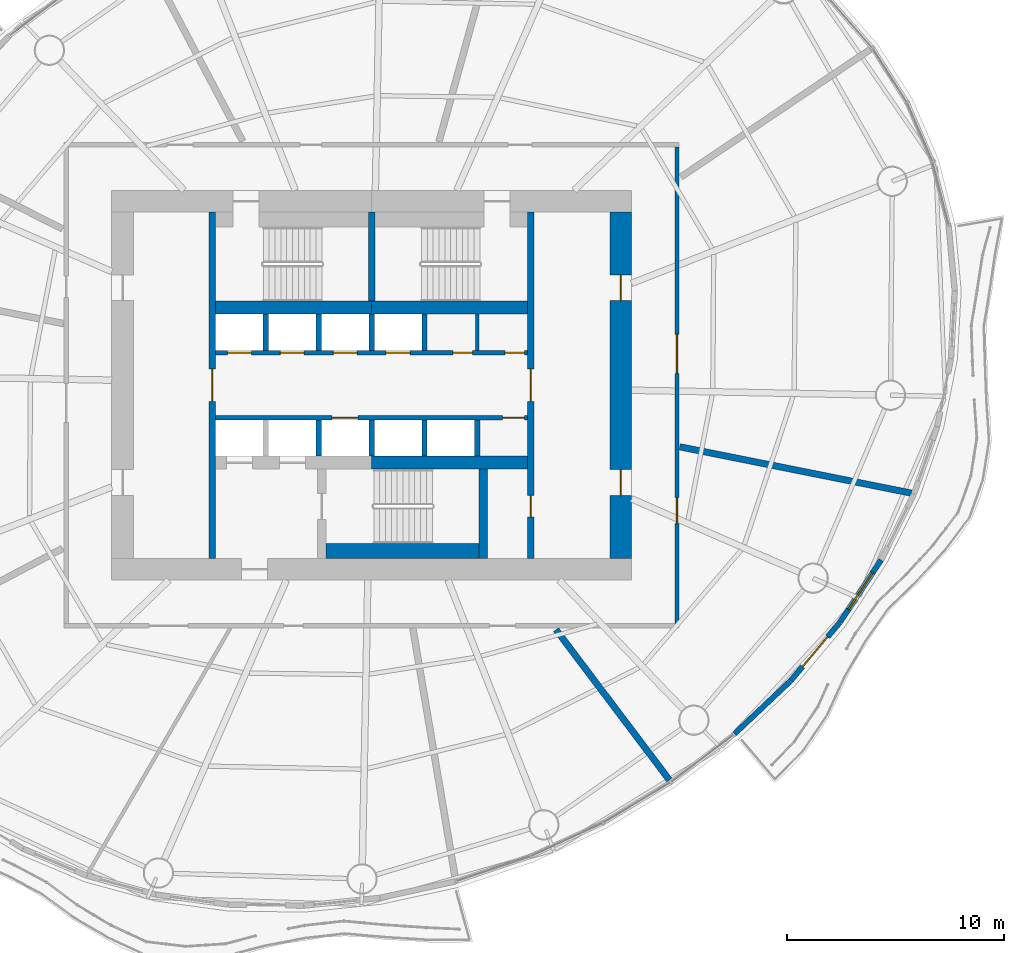
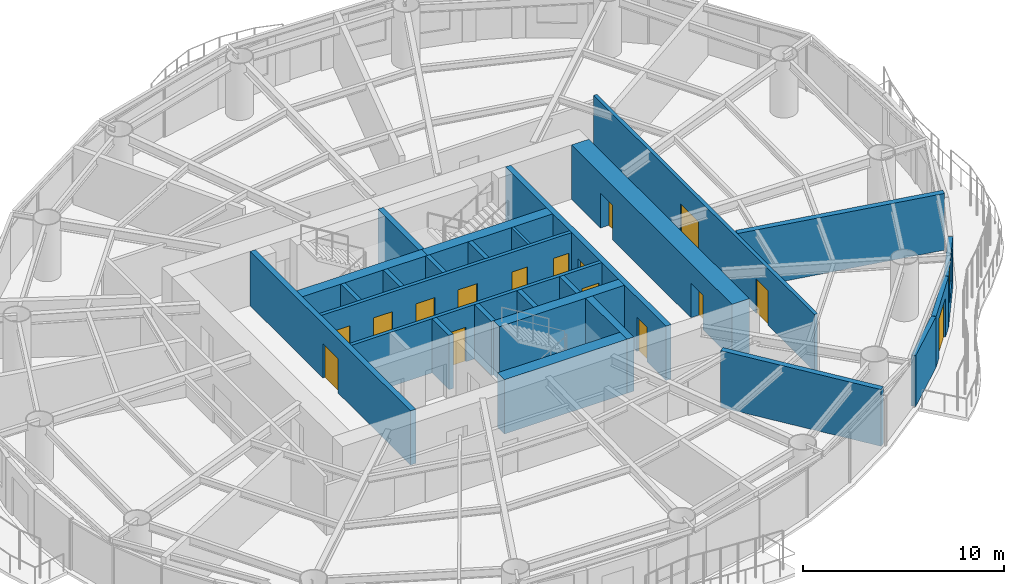
# One storey, part 9 of 16: 26 walls, 16 doors, 1 window, 17 openings.
"""IFC4 building model written with IfcOpenShell, lengths in metres."""

from ifc_helpers import new_model, si_unit, direction, frame, frame_2d, origin, place, context, subcontext, project, spatial, rectangle, extrude, material, layer, layer_set, type_object, element, fill, save


model = new_model("IFC4")

# Units and contexts
model_context = context("Model", 3, precision=1e-05, world=origin(), true_north=direction((0.0, 1.0)))
body_context = subcontext(model_context, "Body", "Model", "MODEL_VIEW")
ifc_project = project(units=[si_unit("LENGTHUNIT", "METRE"), si_unit("AREAUNIT", "SQUARE_METRE"), si_unit("VOLUMEUNIT", "CUBIC_METRE"), si_unit("PLANEANGLEUNIT", "RADIAN"), si_unit("MASSUNIT", "GRAM", prefix="KILO")], contexts=[model_context])

# Site, building, storey
site_placement = place(None, origin())
site = spatial("IfcSite", under=ifc_project, at=site_placement, CompositionType="ELEMENT")
building_placement = place(site_placement, origin())
building = spatial("IfcBuilding", under=site, at=building_placement, Name="Vermilion Reach Broadcast Tower", CompositionType="ELEMENT")
storey_placement = place(building_placement, frame((0.0, 0.0, 147.0)))
storey = spatial("IfcBuildingStorey", under=building, at=storey_placement, Name="L34", CompositionType="ELEMENT", Elevation=147.0)

# Wall, opening, door
ifc_material_1 = material(Name="Concrete C70", Category="concrete")
ifc_layer_1 = layer(ifc_material_1, 0.300048828125)
ifc_layer_set_1 = layer_set([ifc_layer_1], Name="Core inner wall 300 mm Concrete C70")
wall_type_1 = type_object("IfcWallType", Name="Core inner wall 300 mm Concrete C70", PredefinedType="SHEAR", material=ifc_layer_set_1)
wall_1_placement = place(storey_placement, frame((-13.35009765625, 8.0, 0.0), z_axis=(0.0, 0.0, 1.0), x_axis=(0.0, -1.0, 0.0)))
wall_1 = element("IfcWall", 1, at=wall_1_placement, inside=storey, type_object=wall_type_1, Name="L34 core wall ewW", PredefinedType="SHEAR", context=body_context, shape_type="SweptSolid", body=[
    extrude(rectangle(XDim=16.0, YDim=0.300048828125, at=frame_2d((8.0, 0.0))), origin(), (0.0, 0.0, 1.0), 3.300048828125),
])
opening_1_placement = place(wall_1_placement, frame((7.25, 0.0, 0.0)))
opening_1 = element("IfcOpeningElement", 2, at=opening_1_placement, cuts=wall_1, Name="Opening D04", PredefinedType="OPENING", context=body_context, shape_type="SweptSolid", body=[
    extrude(rectangle(XDim=1.5, YDim=2.10009765625, at=frame_2d((0.75, 1.050048828125))), frame((0.0, 0.159912109375, 0.0), z_axis=(0.0, -1.0, 0.0), x_axis=(1.0, 0.0, 0.0)), (0.0, 0.0, 1.0), 0.320068359375),
])
ifc_material_2 = material(Name="Painted steel fire door", Category="steel")
door_type_1 = type_object("IfcDoorType", Name="Lift lobby door 1500 x 2100", OperationType="DOUBLE_DOOR_SINGLE_SWING", PredefinedType="NOTDEFINED", material=ifc_material_2)
door_1_placement = place(opening_1_placement, origin())
door_1 = element("IfcDoor", 3, at=door_1_placement, inside=storey, type_object=door_type_1, Name="L34 band door BW", OperationType="DOUBLE_DOOR_SINGLE_SWING", OverallHeight=2.10009765625, OverallWidth=1.5, PredefinedType="NOTDEFINED", context=body_context, shape_type="SweptSolid", body=[
    extrude(rectangle(XDim=1.5, YDim=2.10009765625, at=frame_2d((0.75, 1.050048828125))), frame((0.0, 0.02490234375, 0.0), z_axis=(0.0, -1.0, 0.0), x_axis=(1.0, 0.0, 0.0)), (0.0, 0.0, 1.0), 0.050048828125),
])
fill(opening_1, door_1)

# Wall, openings, doors
wall_2_placement = place(storey_placement, frame((1.35009765625, -8.0, 0.0), z_axis=(0.0, 0.0, 1.0), x_axis=(0.0, 1.0, 0.0)))
wall_2 = element("IfcWall", 4, at=wall_2_placement, inside=storey, type_object=wall_type_1, Name="L34 core wall ewE", PredefinedType="SHEAR", context=body_context, shape_type="SweptSolid", body=[
    extrude(rectangle(XDim=16.0, YDim=0.300048828125, at=frame_2d((8.0, 0.0))), origin(), (0.0, 0.0, 1.0), 3.300048828125),
])
opening_2_placement = place(wall_2_placement, frame((1.909912109375, 0.0, 0.0)))
opening_2 = element("IfcOpeningElement", 5, at=opening_2_placement, cuts=wall_2, Name="Opening D05", PredefinedType="OPENING", context=body_context, shape_type="SweptSolid", body=[
    extrude(rectangle(XDim=1.0, YDim=2.10009765625, at=frame_2d((0.5, 1.050048828125))), frame((0.0, 0.159912109375, 0.0), z_axis=(0.0, -1.0, 0.0), x_axis=(1.0, 0.0, 0.0)), (0.0, 0.0, 1.0), 0.320068359375),
])
opening_3_placement = place(wall_2_placement, frame((7.25, 0.0, 0.0)))
opening_3 = element("IfcOpeningElement", 6, at=opening_3_placement, cuts=wall_2, Name="Opening D04", PredefinedType="OPENING", context=body_context, shape_type="SweptSolid", body=[
    extrude(rectangle(XDim=1.5, YDim=2.10009765625, at=frame_2d((0.75, 1.050048828125))), frame((0.0, 0.159912109375, 0.0), z_axis=(0.0, -1.0, 0.0), x_axis=(1.0, 0.0, 0.0)), (0.0, 0.0, 1.0), 0.320068359375),
])
door_2_placement = place(opening_3_placement, origin())
door_2 = element("IfcDoor", 7, at=door_2_placement, inside=storey, type_object=door_type_1, Name="L34 band door BE", OperationType="DOUBLE_DOOR_SINGLE_SWING", OverallHeight=2.10009765625, OverallWidth=1.5, PredefinedType="NOTDEFINED", context=body_context, shape_type="SweptSolid", body=[
    extrude(rectangle(XDim=1.5, YDim=2.10009765625, at=frame_2d((0.75, 1.050048828125))), frame((0.0, 0.02490234375, 0.0), z_axis=(0.0, -1.0, 0.0), x_axis=(1.0, 0.0, 0.0)), (0.0, 0.0, 1.0), 0.050048828125),
])
fill(opening_3, door_2)
ifc_material_3 = material(Name="Timber door", Category="wood")
door_type_2 = type_object("IfcDoorType", Name="Room door 1000 x 2100", OperationType="NOTDEFINED", PredefinedType="NOTDEFINED", material=ifc_material_3)
door_3_placement = place(opening_2_placement, origin())
door_3 = element("IfcDoor", 8, at=door_3_placement, inside=storey, type_object=door_type_2, Name="L34 door SER", OperationType="SINGLE_SWING_LEFT", OverallHeight=2.10009765625, OverallWidth=1.0, PredefinedType="NOTDEFINED", context=body_context, shape_type="SweptSolid", body=[
    extrude(rectangle(XDim=1.0, YDim=2.10009765625, at=frame_2d((0.5, 1.050048828125))), frame((0.0, 0.02490234375, 0.0), z_axis=(0.0, -1.0, 0.0), x_axis=(1.0, 0.0, 0.0)), (0.0, 0.0, 1.0), 0.050048828125),
])
fill(opening_2, door_3)

# Walls
wall_3_placement = place(storey_placement, frame((-6.0, 3.8798828125, 0.0), z_axis=(0.0, 0.0, 1.0), x_axis=(0.0, 1.0, 0.0)))
element("IfcWall", 9, at=wall_3_placement, inside=storey, type_object=wall_type_1, Name="L34 core wall wc", PredefinedType="SHEAR", context=body_context, shape_type="SweptSolid", body=[
    extrude(rectangle(XDim=4.1201171875, YDim=0.300048828125, at=frame_2d((2.06005859375, 0.0))), origin(), (0.0, 0.0, 1.0), 3.300048828125),
])
ifc_material_4 = material(Name="Concrete C70", Category="concrete")
ifc_layer_2 = layer(ifc_material_4, 0.39990234375)
ifc_layer_set_2 = layer_set([ifc_layer_2], Name="Core inner wall 400 mm Concrete C70")
wall_type_2 = type_object("IfcWallType", Name="Core inner wall 400 mm Concrete C70", PredefinedType="SHEAR", material=ifc_layer_set_2)
wall_4_placement = place(storey_placement, frame((-0.85009765625, -3.8798828125, 0.0), z_axis=(0.0, 0.0, 1.0), x_axis=(0.0, -1.0, 0.0)))
element("IfcWall", 10, at=wall_4_placement, inside=storey, type_object=wall_type_2, Name="L34 core wall wb", PredefinedType="SHEAR", context=body_context, shape_type="SweptSolid", body=[
    extrude(rectangle(XDim=4.1201171875, YDim=0.39990234375, at=frame_2d((2.06005859375, 0.0))), origin(), (0.0, 0.0, 1.0), 3.300048828125),
])
ifc_material_5 = material(Name="Concrete C70", Category="concrete")
ifc_layer_3 = layer(ifc_material_5, 0.60009765625)
ifc_layer_set_3 = layer_set([ifc_layer_3], Name="Core inner wall 600 mm Concrete C70")
wall_type_3 = type_object("IfcWallType", Name="Core inner wall 600 mm Concrete C70", PredefinedType="SHEAR", material=ifc_layer_set_3)
for number, where, z_axis, x_axis, name in (
    (11, (-13.199951171875, 3.580078125, 0.0), (0.0, 0.0, 1.0), (1.0, 0.0, 0.0), "L34 core wall winW"),
    (12, (-6.0, 3.580078125, 0.0), (0.0, 0.0, 1.0), (1.0, 0.0, 0.0), "L34 core wall winE"),
    (13, (-6.0, -3.580078125, 0.0), (0.0, 0.0, 1.0), (1.0, 0.0, 0.0), "L34 core wall wisE"),
):
    element("IfcWall", number, at=place(storey_placement, frame(where, z_axis=z_axis, x_axis=x_axis)), inside=storey, type_object=wall_type_3, Name=name, PredefinedType="SHEAR", context=body_context, shape_type="SweptSolid", body=[
        extrude(rectangle(XDim=7.199951171875, YDim=0.60009765625, at=frame_2d((3.60009765625, 0.0))), origin(), (0.0, 0.0, 1.0), 3.300048828125),
    ])

# Wall, openings, doors
ifc_material_6 = material(Name="Concrete C70", Category="concrete")
ifc_layer_4 = layer(ifc_material_6, 1.0)
ifc_layer_set_4 = layer_set([ifc_layer_4], Name="Core outer wall 1000 mm Concrete C70")
wall_type_4 = type_object("IfcWallType", Name="Core outer wall 1000 mm Concrete C70", PredefinedType="SHEAR", material=ifc_layer_set_4)
wall_5_placement = place(storey_placement, frame((5.5, -8.0, 0.0), z_axis=(0.0, 0.0, 1.0), x_axis=(0.0, 1.0, 0.0)))
wall_5 = element("IfcWall", 14, at=wall_5_placement, inside=storey, type_object=wall_type_4, Name="L34 core wall oe", PredefinedType="SHEAR", context=body_context, shape_type="SweptSolid", body=[
    extrude(rectangle(XDim=16.0, YDim=1.0, at=frame_2d((8.0, 0.0))), origin(), (0.0, 0.0, 1.0), 3.300048828125),
])
opening_4_placement = place(wall_5_placement, frame((2.89990234375, 0.0, 0.0)))
opening_4 = element("IfcOpeningElement", 15, at=opening_4_placement, cuts=wall_5, Name="Opening D03", PredefinedType="OPENING", context=body_context, shape_type="SweptSolid", body=[
    extrude(rectangle(XDim=1.199951171875, YDim=2.10009765625, at=frame_2d((0.60009765625, 1.050048828125))), frame((0.0, 0.510009765625, 0.0), z_axis=(0.0, -1.0, 0.0), x_axis=(1.0, 0.0, 0.0)), (0.0, 0.0, 1.0), 1.02001953125),
])
opening_5_placement = place(wall_5_placement, frame((11.89990234375, 0.0, 0.0)))
opening_5 = element("IfcOpeningElement", 16, at=opening_5_placement, cuts=wall_5, Name="Opening D03", PredefinedType="OPENING", context=body_context, shape_type="SweptSolid", body=[
    extrude(rectangle(XDim=1.199951171875, YDim=2.10009765625, at=frame_2d((0.60009765625, 1.050048828125))), frame((0.0, 0.510009765625, 0.0), z_axis=(0.0, -1.0, 0.0), x_axis=(1.0, 0.0, 0.0)), (0.0, 0.0, 1.0), 1.02001953125),
])
ifc_material_7 = material(Name="Painted steel fire door", Category="steel")
door_type_3 = type_object("IfcDoorType", Name="Core lobby door 1200 x 2100", OperationType="DOUBLE_DOOR_SINGLE_SWING", PredefinedType="NOTDEFINED", material=ifc_material_7)
door_4_placement = place(opening_4_placement, origin())
door_4 = element("IfcDoor", 17, at=door_4_placement, inside=storey, type_object=door_type_3, Name="L34 slot door E0", OperationType="DOUBLE_DOOR_SINGLE_SWING", OverallHeight=2.10009765625, OverallWidth=1.199951171875, PredefinedType="NOTDEFINED", context=body_context, shape_type="SweptSolid", body=[
    extrude(rectangle(XDim=1.199951171875, YDim=2.10009765625, at=frame_2d((0.60009765625, 1.050048828125))), frame((0.0, 0.02490234375, 0.0), z_axis=(0.0, -1.0, 0.0), x_axis=(1.0, 0.0, 0.0)), (0.0, 0.0, 1.0), 0.050048828125),
])
fill(opening_4, door_4)
door_5_placement = place(opening_5_placement, origin())
door_5 = element("IfcDoor", 18, at=door_5_placement, inside=storey, type_object=door_type_3, Name="L34 slot door E1", OperationType="DOUBLE_DOOR_SINGLE_SWING", OverallHeight=2.10009765625, OverallWidth=1.199951171875, PredefinedType="NOTDEFINED", context=body_context, shape_type="SweptSolid", body=[
    extrude(rectangle(XDim=1.199951171875, YDim=2.10009765625, at=frame_2d((0.60009765625, 1.050048828125))), frame((0.0, 0.02490234375, 0.0), z_axis=(0.0, -1.0, 0.0), x_axis=(1.0, 0.0, 0.0)), (0.0, 0.0, 1.0), 0.050048828125),
])
fill(opening_5, door_5)

# Wall
ifc_material_8 = material(Name="Masonry block", Category="masonry")
ifc_layer_5 = layer(ifc_material_8, 0.14990234375)
ifc_layer_set_5 = layer_set([ifc_layer_5], Name="Core partition wall 150 mm Masonry block")
wall_type_5 = type_object("IfcWallType", Name="Core partition wall 150 mm Masonry block", PredefinedType="PARTITIONING", material=ifc_layer_set_5)
wall_6_placement = place(storey_placement, frame((-1.11669921875, 1.60009765625, 0.0), z_axis=(0.0, 0.0, 1.0), x_axis=(0.0, 1.0, 0.0)))
element("IfcWall", 19, at=wall_6_placement, inside=storey, type_object=wall_type_5, Name="L34 core wall prN4883", PredefinedType="PARTITIONING", context=body_context, shape_type="SweptSolid", body=[
    extrude(rectangle(XDim=1.679931640625, YDim=0.14990234375, at=frame_2d((0.83984375, 0.0))), origin(), (0.0, 0.0, 1.0), 3.300048828125),
])

# Wall, openings, doors
ifc_material_9 = material(Name="Concrete C50", Category="concrete")
ifc_layer_6 = layer(ifc_material_9, 0.199951171875)
ifc_layer_set_6 = layer_set([ifc_layer_6], Name="Core shaft wall 200 mm Concrete C50")
wall_type_6 = type_object("IfcWallType", Name="Core shaft wall 200 mm Concrete C50", PredefinedType="SHEAR", material=ifc_layer_set_6)
wall_7_placement = place(storey_placement, frame((-13.199951171875, 1.5, 0.0), z_axis=(0.0, 0.0, 1.0), x_axis=(1.0, 0.0, 0.0)))
wall_7 = element("IfcWall", 20, at=wall_7_placement, inside=storey, type_object=wall_type_6, Name="L34 core wall fn", PredefinedType="SHEAR", context=body_context, shape_type="SweptSolid", body=[
    extrude(rectangle(XDim=14.39990234375, YDim=0.199951171875, at=frame_2d((7.199951171875, 0.0))), origin(), (0.0, 0.0, 1.0), 3.300048828125),
])
opening_6_placement = place(wall_7_placement, frame((0.5458984375, 0.0, 0.0)))
opening_6 = element("IfcOpeningElement", 21, at=opening_6_placement, cuts=wall_7, Name="Opening LD2", PredefinedType="OPENING", context=body_context, shape_type="SweptSolid", body=[
    extrude(rectangle(XDim=1.10009765625, YDim=2.10009765625, at=frame_2d((0.550048828125, 1.050048828125))), frame((0.0, 0.10986328125, 0.0), z_axis=(0.0, -1.0, 0.0), x_axis=(1.0, 0.0, 0.0)), (0.0, 0.0, 1.0), 0.219970703125),
])
opening_7_placement = place(wall_7_placement, frame((2.987548828125, 0.0, 0.0)))
opening_7 = element("IfcOpeningElement", 22, at=opening_7_placement, cuts=wall_7, Name="Opening LD2", PredefinedType="OPENING", context=body_context, shape_type="SweptSolid", body=[
    extrude(rectangle(XDim=1.10009765625, YDim=2.10009765625, at=frame_2d((0.550048828125, 1.050048828125))), frame((0.0, 0.10986328125, 0.0), z_axis=(0.0, -1.0, 0.0), x_axis=(1.0, 0.0, 0.0)), (0.0, 0.0, 1.0), 0.219970703125),
])
opening_8_placement = place(wall_7_placement, frame((5.42919921875, 0.0, 0.0)))
opening_8 = element("IfcOpeningElement", 23, at=opening_8_placement, cuts=wall_7, Name="Opening LD2", PredefinedType="OPENING", context=body_context, shape_type="SweptSolid", body=[
    extrude(rectangle(XDim=1.10009765625, YDim=2.10009765625, at=frame_2d((0.550048828125, 1.050048828125))), frame((0.0, 0.10986328125, 0.0), z_axis=(0.0, -1.0, 0.0), x_axis=(1.0, 0.0, 0.0)), (0.0, 0.0, 1.0), 0.219970703125),
])
opening_9_placement = place(wall_7_placement, frame((7.870849609375, 0.0, 0.0)))
opening_9 = element("IfcOpeningElement", 24, at=opening_9_placement, cuts=wall_7, Name="Opening LD2", PredefinedType="OPENING", context=body_context, shape_type="SweptSolid", body=[
    extrude(rectangle(XDim=1.10009765625, YDim=2.10009765625, at=frame_2d((0.550048828125, 1.050048828125))), frame((0.0, 0.10986328125, 0.0), z_axis=(0.0, -1.0, 0.0), x_axis=(1.0, 0.0, 0.0)), (0.0, 0.0, 1.0), 0.219970703125),
])
opening_10_placement = place(wall_7_placement, frame((10.958251953125, 0.0, 0.0)))
opening_10 = element("IfcOpeningElement", 25, at=opening_10_placement, cuts=wall_7, Name="Opening D06", PredefinedType="OPENING", context=body_context, shape_type="SweptSolid", body=[
    extrude(rectangle(XDim=0.89990234375, YDim=2.10009765625, at=frame_2d((0.449951171875, 1.050048828125))), frame((0.0, 0.10986328125, 0.0), z_axis=(0.0, -1.0, 0.0), x_axis=(1.0, 0.0, 0.0)), (0.0, 0.0, 1.0), 0.219970703125),
])
opening_11_placement = place(wall_7_placement, frame((13.35009765625, 0.0, 0.0)))
opening_11 = element("IfcOpeningElement", 26, at=opening_11_placement, cuts=wall_7, Name="Opening D06", PredefinedType="OPENING", context=body_context, shape_type="SweptSolid", body=[
    extrude(rectangle(XDim=0.89990234375, YDim=2.10009765625, at=frame_2d((0.449951171875, 1.050048828125))), frame((0.0, 0.10986328125, 0.0), z_axis=(0.0, -1.0, 0.0), x_axis=(1.0, 0.0, 0.0)), (0.0, 0.0, 1.0), 0.219970703125),
])
ifc_material_10 = material(Name="Stainless steel", Category="steel")
door_type_4 = type_object("IfcDoorType", Name="Landing door 1100 x 2100", OperationType="DOUBLE_DOOR_SLIDING", PredefinedType="NOTDEFINED", material=ifc_material_10)
door_6_placement = place(opening_6_placement, origin())
door_6 = element("IfcDoor", 27, at=door_6_placement, inside=storey, type_object=door_type_4, Name="L34 landing door LR1", OperationType="DOUBLE_DOOR_SLIDING", OverallHeight=2.10009765625, OverallWidth=1.10009765625, PredefinedType="NOTDEFINED", context=body_context, shape_type="SweptSolid", body=[
    extrude(rectangle(XDim=1.10009765625, YDim=2.10009765625, at=frame_2d((0.550048828125, 1.050048828125))), frame((0.0, 0.02490234375, 0.0), z_axis=(0.0, -1.0, 0.0), x_axis=(1.0, 0.0, 0.0)), (0.0, 0.0, 1.0), 0.050048828125),
])
fill(opening_6, door_6)
door_7_placement = place(opening_7_placement, origin())
door_7 = element("IfcDoor", 28, at=door_7_placement, inside=storey, type_object=door_type_4, Name="L34 landing door LR2", OperationType="DOUBLE_DOOR_SLIDING", OverallHeight=2.10009765625, OverallWidth=1.10009765625, PredefinedType="NOTDEFINED", context=body_context, shape_type="SweptSolid", body=[
    extrude(rectangle(XDim=1.10009765625, YDim=2.10009765625, at=frame_2d((0.550048828125, 1.050048828125))), frame((0.0, 0.02490234375, 0.0), z_axis=(0.0, -1.0, 0.0), x_axis=(1.0, 0.0, 0.0)), (0.0, 0.0, 1.0), 0.050048828125),
])
fill(opening_7, door_7)
door_8_placement = place(opening_8_placement, origin())
door_8 = element("IfcDoor", 29, at=door_8_placement, inside=storey, type_object=door_type_4, Name="L34 landing door LR3", OperationType="DOUBLE_DOOR_SLIDING", OverallHeight=2.10009765625, OverallWidth=1.10009765625, PredefinedType="NOTDEFINED", context=body_context, shape_type="SweptSolid", body=[
    extrude(rectangle(XDim=1.10009765625, YDim=2.10009765625, at=frame_2d((0.550048828125, 1.050048828125))), frame((0.0, 0.02490234375, 0.0), z_axis=(0.0, -1.0, 0.0), x_axis=(1.0, 0.0, 0.0)), (0.0, 0.0, 1.0), 0.050048828125),
])
fill(opening_8, door_8)
door_9_placement = place(opening_9_placement, origin())
door_9 = element("IfcDoor", 30, at=door_9_placement, inside=storey, type_object=door_type_4, Name="L34 landing door LR4", OperationType="DOUBLE_DOOR_SLIDING", OverallHeight=2.10009765625, OverallWidth=1.10009765625, PredefinedType="NOTDEFINED", context=body_context, shape_type="SweptSolid", body=[
    extrude(rectangle(XDim=1.10009765625, YDim=2.10009765625, at=frame_2d((0.550048828125, 1.050048828125))), frame((0.0, 0.02490234375, 0.0), z_axis=(0.0, -1.0, 0.0), x_axis=(1.0, 0.0, 0.0)), (0.0, 0.0, 1.0), 0.050048828125),
])
fill(opening_9, door_9)
ifc_material_11 = material(Name="Timber door", Category="wood")
door_type_5 = type_object("IfcDoorType", Name="WC door 900 x 2100", OperationType="NOTDEFINED", PredefinedType="NOTDEFINED", material=ifc_material_11)
door_10_placement = place(opening_10_placement, origin())
door_10 = element("IfcDoor", 31, at=door_10_placement, inside=storey, type_object=door_type_5, Name="L34 door Female WC", OperationType="SINGLE_SWING_RIGHT", OverallHeight=2.10009765625, OverallWidth=0.89990234375, PredefinedType="NOTDEFINED", context=body_context, shape_type="SweptSolid", body=[
    extrude(rectangle(XDim=0.89990234375, YDim=2.10009765625, at=frame_2d((0.449951171875, 1.050048828125))), frame((0.0, 0.02490234375, 0.0), z_axis=(0.0, -1.0, 0.0), x_axis=(1.0, 0.0, 0.0)), (0.0, 0.0, 1.0), 0.050048828125),
])
fill(opening_10, door_10)
door_11_placement = place(opening_11_placement, origin())
door_11 = element("IfcDoor", 32, at=door_11_placement, inside=storey, type_object=door_type_5, Name="L34 door Male WC", OperationType="SINGLE_SWING_RIGHT", OverallHeight=2.10009765625, OverallWidth=0.89990234375, PredefinedType="NOTDEFINED", context=body_context, shape_type="SweptSolid", body=[
    extrude(rectangle(XDim=0.89990234375, YDim=2.10009765625, at=frame_2d((0.449951171875, 1.050048828125))), frame((0.0, 0.02490234375, 0.0), z_axis=(0.0, -1.0, 0.0), x_axis=(1.0, 0.0, 0.0)), (0.0, 0.0, 1.0), 0.050048828125),
])
fill(opening_11, door_11)

wall_8_placement = place(storey_placement, frame((1.199951171875, -1.5, 0.0), z_axis=(0.0, 0.0, 1.0), x_axis=(-1.0, 0.0, 0.0)))
wall_8 = element("IfcWall", 33, at=wall_8_placement, inside=storey, type_object=wall_type_6, Name="L34 core wall fs", PredefinedType="SHEAR", context=body_context, shape_type="SweptSolid", body=[
    extrude(rectangle(XDim=14.39990234375, YDim=0.199951171875, at=frame_2d((7.199951171875, 0.0))), origin(), (0.0, 0.0, 1.0), 3.300048828125),
])
opening_12_placement = place(wall_8_placement, frame((7.82080078125, 0.0, 0.0)))
opening_12 = element("IfcOpeningElement", 34, at=opening_12_placement, cuts=wall_8, Name="Opening LD1", PredefinedType="OPENING", context=body_context, shape_type="SweptSolid", body=[
    extrude(rectangle(XDim=1.199951171875, YDim=2.10009765625, at=frame_2d((0.60009765625, 1.050048828125))), frame((0.0, 0.10986328125, 0.0), z_axis=(0.0, -1.0, 0.0), x_axis=(1.0, 0.0, 0.0)), (0.0, 0.0, 1.0), 0.219970703125),
])
opening_13_placement = place(wall_8_placement, frame((0.14990234375, 0.0, 0.0)))
opening_13 = element("IfcOpeningElement", 35, at=opening_13_placement, cuts=wall_8, Name="Opening D07", PredefinedType="OPENING", context=body_context, shape_type="SweptSolid", body=[
    extrude(rectangle(XDim=1.0, YDim=2.10009765625, at=frame_2d((0.5, 1.050048828125))), frame((0.0, 0.10986328125, 0.0), z_axis=(0.0, -1.0, 0.0), x_axis=(1.0, 0.0, 0.0)), (0.0, 0.0, 1.0), 0.219970703125),
])
ifc_material_12 = material(Name="Timber door", Category="wood")
door_type_6 = type_object("IfcDoorType", Name="Accessible WC door 1000 x 2100", OperationType="NOTDEFINED", PredefinedType="NOTDEFINED", material=ifc_material_12)
door_12_placement = place(opening_13_placement, origin())
door_12 = element("IfcDoor", 36, at=door_12_placement, inside=storey, type_object=door_type_6, Name="L34 door Accessible WC", OperationType="SINGLE_SWING_LEFT", OverallHeight=2.10009765625, OverallWidth=1.0, PredefinedType="NOTDEFINED", context=body_context, shape_type="SweptSolid", body=[
    extrude(rectangle(XDim=1.0, YDim=2.10009765625, at=frame_2d((0.5, 1.050048828125))), frame((0.0, 0.02490234375, 0.0), z_axis=(0.0, -1.0, 0.0), x_axis=(1.0, 0.0, 0.0)), (0.0, 0.0, 1.0), 0.050048828125),
])
fill(opening_13, door_12)
ifc_material_13 = material(Name="Stainless steel", Category="steel")
door_type_7 = type_object("IfcDoorType", Name="Landing door 1200 x 2100", OperationType="DOUBLE_DOOR_SLIDING", PredefinedType="NOTDEFINED", material=ifc_material_13)
door_13_placement = place(opening_12_placement, origin())
door_13 = element("IfcDoor", 37, at=door_13_placement, inside=storey, type_object=door_type_7, Name="L34 landing door SV1", OperationType="DOUBLE_DOOR_SLIDING", OverallHeight=2.10009765625, OverallWidth=1.199951171875, PredefinedType="NOTDEFINED", context=body_context, shape_type="SweptSolid", body=[
    extrude(rectangle(XDim=1.199951171875, YDim=2.10009765625, at=frame_2d((0.60009765625, 1.050048828125))), frame((0.0, 0.02490234375, 0.0), z_axis=(0.0, -1.0, 0.0), x_axis=(1.0, 0.0, 0.0)), (0.0, 0.0, 1.0), 0.050048828125),
])
fill(opening_12, door_13)

# Walls
ifc_material_14 = material(Name="Concrete C50", Category="concrete")
ifc_layer_7 = layer(ifc_material_14, 0.25)
ifc_layer_set_7 = layer_set([ifc_layer_7], Name="Core shaft wall 250 mm Concrete C50")
wall_type_7 = type_object("IfcWallType", Name="Core shaft wall 250 mm Concrete C50", PredefinedType="SHEAR", material=ifc_layer_set_7)
for number, where, z_axis, x_axis, name in (
    (38, (-10.88330078125, 1.60009765625, 0.0), (0.0, 0.0, 1.0), (0.0, 1.0, 0.0), "L34 core wall psN0"),
    (39, (-8.441650390625, 1.60009765625, 0.0), (0.0, 0.0, 1.0), (0.0, 1.0, 0.0), "L34 core wall psN1"),
    (40, (-6.0, 1.60009765625, 0.0), (0.0, 0.0, 1.0), (0.0, 1.0, 0.0), "L34 core wall psN2"),
    (41, (-3.558349609375, 1.60009765625, 0.0), (0.0, 0.0, 1.0), (0.0, 1.0, 0.0), "L34 core wall psN3"),
    (42, (-8.441650390625, -1.60009765625, 0.0), (0.0, 0.0, 1.0), (0.0, -1.0, 0.0), "L34 core wall psS1"),
    (43, (-6.0, -1.60009765625, 0.0), (0.0, 0.0, 1.0), (0.0, -1.0, 0.0), "L34 core wall psS2"),
    (44, (-3.558349609375, -1.60009765625, 0.0), (0.0, 0.0, 1.0), (0.0, -1.0, 0.0), "L34 core wall psS3"),
    (45, (-1.11669921875, -1.60009765625, 0.0), (0.0, 0.0, 1.0), (0.0, -1.0, 0.0), "L34 core wall psS4"),
):
    element("IfcWall", number, at=place(storey_placement, frame(where, z_axis=z_axis, x_axis=x_axis)), inside=storey, type_object=wall_type_7, Name=name, PredefinedType="SHEAR", context=body_context, shape_type="SweptSolid", body=[
        extrude(rectangle(XDim=1.679931640625, YDim=0.25, at=frame_2d((0.83984375, 0.0))), origin(), (0.0, 0.0, 1.0), 3.300048828125),
    ])
ifc_material_15 = material(Name="Concrete C70", Category="concrete")
ifc_layer_8 = layer(ifc_material_15, 0.699951171875)
ifc_layer_set_8 = layer_set([ifc_layer_8], Name="Core stair wall 700 mm Concrete C70")
wall_type_8 = type_object("IfcWallType", Name="Core stair wall 700 mm Concrete C70", PredefinedType="SHEAR", material=ifc_layer_set_8)
wall_9_placement = place(storey_placement, frame((-8.10009765625, -7.64990234375, 0.0), z_axis=(0.0, 0.0, 1.0), x_axis=(1.0, 0.0, 0.0)))
element("IfcWall", 46, at=wall_9_placement, inside=storey, type_object=wall_type_8, Name="L34 core wall l3", PredefinedType="SHEAR", context=body_context, shape_type="SweptSolid", body=[
    extrude(rectangle(XDim=7.050048828125, YDim=0.699951171875, at=frame_2d((3.52490234375, 0.0))), origin(), (0.0, 0.0, 1.0), 3.300048828125),
])

# Wall, openings, doors
ifc_material_16 = material(Name="Fire-rated gypsum board partition")
ifc_layer_9 = layer(ifc_material_16, 0.199951171875)
ifc_layer_set_9 = layer_set([ifc_layer_9], Name="Corridor wall 200 fire-rated")
wall_type_9 = type_object("IfcWallType", Name="Corridor wall 200 fire-rated", PredefinedType="PARTITIONING", material=ifc_layer_set_9)
wall_10_placement = place(storey_placement, frame((8.10009765625, 11.0, 0.0), z_axis=(0.0, 0.0, 1.0), x_axis=(0.0, -1.0, 0.0)))
wall_10 = element("IfcWall", 47, at=wall_10_placement, inside=storey, type_object=wall_type_9, Name="Corridor wall 34.E", PredefinedType="PARTITIONING", context=body_context, shape_type="SweptSolid", body=[
    extrude(rectangle(XDim=22.0, YDim=0.199951171875, at=frame_2d((11.0, 0.0))), origin(), (0.0, 0.0, 1.0), 3.449951171875),
])
opening_14_placement = place(wall_10_placement, frame((16.18701171875, 0.0, 0.0)))
opening_14 = element("IfcOpeningElement", 48, at=opening_14_placement, cuts=wall_10, Name="Opening D26", PredefinedType="OPENING", context=body_context, shape_type="SweptSolid", body=[
    extrude(rectangle(XDim=1.199951171875, YDim=2.10009765625, at=frame_2d((0.60009765625, 1.050048828125))), frame((0.0, 0.10986328125, 0.0), z_axis=(0.0, -1.0, 0.0), x_axis=(1.0, 0.0, 0.0)), (0.0, 0.0, 1.0), 0.219970703125),
])
opening_15_placement = place(wall_10_placement, frame((8.65869140625, 0.0, 0.0)))
opening_15 = element("IfcOpeningElement", 49, at=opening_15_placement, cuts=wall_10, Name="Opening D21", PredefinedType="OPENING", context=body_context, shape_type="SweptSolid", body=[
    extrude(rectangle(XDim=1.800048828125, YDim=2.10009765625, at=frame_2d((0.89990234375, 1.050048828125))), frame((0.0, 0.10986328125, 0.0), z_axis=(0.0, -1.0, 0.0), x_axis=(1.0, 0.0, 0.0)), (0.0, 0.0, 1.0), 0.219970703125),
])
ifc_material_17 = material(Name="Timber door leaf", Category="wood")
door_type_8 = type_object("IfcDoorType", Name="Door pair 1800x2100", OperationType="NOTDEFINED", PredefinedType="DOOR", material=ifc_material_17)
door_14_placement = place(opening_15_placement, origin())
door_14 = element("IfcDoor", 50, at=door_14_placement, inside=storey, type_object=door_type_8, Name="Door 34.10", OperationType="DOUBLE_DOOR_SINGLE_SWING", OverallHeight=2.10009765625, OverallWidth=1.800048828125, PredefinedType="DOOR", context=body_context, shape_type="SweptSolid", body=[
    extrude(rectangle(XDim=1.800048828125, YDim=2.10009765625, at=frame_2d((0.89990234375, 1.050048828125))), frame((0.0, 0.02490234375, 0.0), z_axis=(0.0, -1.0, 0.0), x_axis=(1.0, 0.0, 0.0)), (0.0, 0.0, 1.0), 0.050048828125),
])
fill(opening_15, door_14)
ifc_material_18 = material(Name="Acoustic timber door leaf", Category="wood")
door_type_9 = type_object("IfcDoorType", Name="Door single 1200x2100", OperationType="NOTDEFINED", PredefinedType="DOOR", material=ifc_material_18)
door_15_placement = place(opening_14_placement, origin())
door_15 = element("IfcDoor", 51, at=door_15_placement, inside=storey, type_object=door_type_9, Name="Door 34.09", OperationType="SINGLE_SWING_LEFT", OverallHeight=2.10009765625, OverallWidth=1.199951171875, PredefinedType="DOOR", context=body_context, shape_type="SweptSolid", body=[
    extrude(rectangle(XDim=1.199951171875, YDim=2.10009765625, at=frame_2d((0.60009765625, 1.050048828125))), frame((0.0, 0.02490234375, 0.0), z_axis=(0.0, -1.0, 0.0), x_axis=(1.0, 0.0, 0.0)), (0.0, 0.0, 1.0), 0.050048828125),
])
fill(opening_14, door_15)

# Walls
ifc_material_19 = material(Name="Double-leaf plasterboard on isolated steel stud", Category="steel")
ifc_layer_10 = layer(ifc_material_19, 0.300048828125)
ifc_layer_set_10 = layer_set([ifc_layer_10], Name="Partition 300 acoustic double leaf")
wall_type_10 = type_object("IfcWallType", Name="Partition 300 acoustic double leaf", PredefinedType="PARTITIONING", material=ifc_layer_set_10)
wall_11_placement = place(storey_placement, frame((7.74609375, -18.22705078125, 0.0), z_axis=(0.0, 0.0, 1.0), x_axis=(-0.602106567293, 0.798415732324, 0.0)))
element("IfcWall", 52, at=wall_11_placement, inside=storey, type_object=wall_type_10, Name="Partition 34.09", PredefinedType="PARTITIONING", context=body_context, shape_type="SweptSolid", body=[
    extrude(rectangle(XDim=8.688232421875, YDim=0.300048828125, at=frame_2d((4.34423828125, 0.0))), origin(), (0.0, 0.0, 1.0), 3.449951171875),
])
wall_12_placement = place(storey_placement, frame((18.92529296875, -4.982666015625, 0.0), z_axis=(0.0, 0.0, 1.0), x_axis=(-0.980597889581, 0.196030046039, 0.0)))
element("IfcWall", 53, at=wall_12_placement, inside=storey, type_object=wall_type_10, Name="Partition 34.10", PredefinedType="PARTITIONING", context=body_context, shape_type="SweptSolid", body=[
    extrude(rectangle(XDim=10.907470703125, YDim=0.300048828125, at=frame_2d((5.45361328125, 0.0))), origin(), (0.0, 0.0, 1.0), 3.449951171875),
])
ifc_material_20 = material(Name="Terracotta rainscreen cladding", Category="masonry")
ifc_layer_11 = layer(ifc_material_20, 0.25)
ifc_layer_set_11 = layer_set([ifc_layer_11], Name="Terracotta rainscreen wall 250")
wall_type_11 = type_object("IfcWallType", Name="Terracotta rainscreen wall 250", PredefinedType="SOLIDWALL", material=ifc_layer_set_11)
wall_13_placement = place(storey_placement, frame((10.760009765625, -16.0966796875, 0.0), z_axis=(0.0, 0.0, 1.0), x_axis=(0.72679086529, 0.68685881965, 0.0)))
element("IfcWall", 54, at=wall_13_placement, inside=storey, type_object=wall_type_11, Name="External wall L34 38", PredefinedType="SOLIDWALL", context=body_context, shape_type="SweptSolid", body=[
    extrude(rectangle(XDim=3.533935546875, YDim=0.25, at=frame_2d((1.76708984375, 0.0))), origin(), (0.0, 0.0, 1.0), 3.10009765625),
])

# Wall, opening, door
wall_14_placement = place(storey_placement, frame((13.343505859375, -13.6533203125, 0.0), z_axis=(0.0, 0.0, 1.0), x_axis=(0.644846877048, 0.764311785308, 0.0)))
wall_14 = element("IfcWall", 55, at=wall_14_placement, inside=storey, type_object=wall_type_11, Name="External wall L34 39", PredefinedType="SOLIDWALL", context=body_context, shape_type="SweptSolid", body=[
    extrude(rectangle(XDim=3.51904296875, YDim=0.25, at=frame_2d((1.759521484375, 0.0))), origin(), (0.0, 0.0, 1.0), 3.10009765625),
])
opening_16_placement = place(wall_14_placement, frame((0.860107421875, 0.0, 0.0)))
opening_16 = element("IfcOpeningElement", 56, at=opening_16_placement, cuts=wall_14, Name="Opening D70", PredefinedType="OPENING", context=body_context, shape_type="SweptSolid", body=[
    extrude(rectangle(XDim=1.800048828125, YDim=2.39990234375, at=frame_2d((0.89990234375, 1.199951171875))), frame((0.0, 0.135009765625, 0.0), z_axis=(0.0, -1.0, 0.0), x_axis=(1.0, 0.0, 0.0)), (0.0, 0.0, 1.0), 0.27001953125),
])
ifc_material_21 = material(Name="Low-e laminated clear glass in aluminium frame", Category="aluminium")
door_type_10 = type_object("IfcDoorType", Name="Balcony sliding door 1800 x 2400", OperationType="DOUBLE_DOOR_SLIDING", PredefinedType="DOOR", material=ifc_material_21)
door_16_placement = place(opening_16_placement, origin())
door_16 = element("IfcDoor", 57, at=door_16_placement, inside=storey, type_object=door_type_10, Name="Balcony door L34 run 10", OperationType="DOUBLE_DOOR_SLIDING", OverallHeight=2.39990234375, OverallWidth=1.800048828125, PredefinedType="DOOR", context=body_context, shape_type="SweptSolid", body=[
    extrude(rectangle(XDim=1.800048828125, YDim=2.39990234375, at=frame_2d((0.89990234375, 1.199951171875))), frame((0.0, 0.02490234375, 0.0), z_axis=(0.0, -1.0, 0.0), x_axis=(1.0, 0.0, 0.0)), (0.0, 0.0, 1.0), 0.050048828125),
])
fill(opening_16, door_16)

# Wall, opening, window
wall_15_placement = place(storey_placement, frame((15.62646484375, -10.945556640625, 0.0), z_axis=(0.0, 0.0, 1.0), x_axis=(0.551326854006, 0.834289338331, 0.0)))
wall_15 = element("IfcWall", 58, at=wall_15_placement, inside=storey, type_object=wall_type_11, Name="External wall L34 40", PredefinedType="SOLIDWALL", context=body_context, shape_type="SweptSolid", body=[
    extrude(rectangle(XDim=3.445068359375, YDim=0.25, at=frame_2d((1.72265625, 0.0))), origin(), (0.0, 0.0, 1.0), 3.10009765625),
])
opening_17_placement = place(wall_15_placement, frame((0.72265625, 0.0, 0.89990234375)))
opening_17 = element("IfcOpeningElement", 59, at=opening_17_placement, cuts=wall_15, Name="Opening W03", PredefinedType="OPENING", context=body_context, shape_type="SweptSolid", body=[
    extrude(rectangle(XDim=2.0, YDim=2.10009765625, at=frame_2d((1.0, 1.050048828125))), frame((0.0, 0.135009765625, 0.0), z_axis=(0.0, -1.0, 0.0), x_axis=(1.0, 0.0, 0.0)), (0.0, 0.0, 1.0), 0.27001953125),
])
ifc_material_22 = material(Name="Low-e laminated clear glass in aluminium frame", Category="aluminium")
window_type = type_object("IfcWindowType", Name="Punched window 2000 x 2100 sill 900", PartitioningType="SINGLE_PANEL", PredefinedType="WINDOW", material=ifc_material_22)
window_placement = place(opening_17_placement, origin())
window = element("IfcWindow", 60, at=window_placement, inside=storey, type_object=window_type, Name="Window L34 40", OverallHeight=2.10009765625, OverallWidth=2.0, PartitioningType="SINGLE_PANEL", PredefinedType="WINDOW", context=body_context, shape_type="SweptSolid", body=[
    extrude(rectangle(XDim=2.0, YDim=2.10009765625, at=frame_2d((1.0, 1.050048828125))), frame((0.0, 0.030029296875, 0.0), z_axis=(0.0, -1.0, 0.0), x_axis=(1.0, 0.0, 0.0)), (0.0, 0.0, 1.0), 0.06005859375),
])
fill(opening_17, window)

save(model, "model.ifc")
